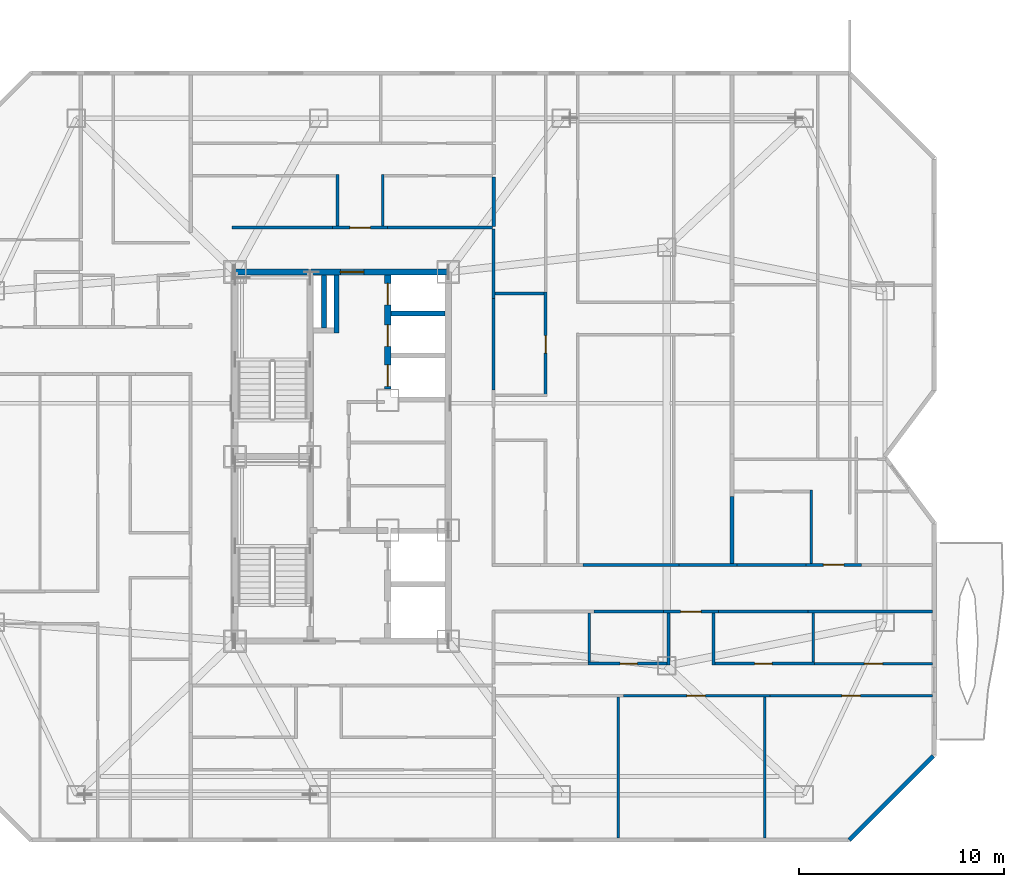
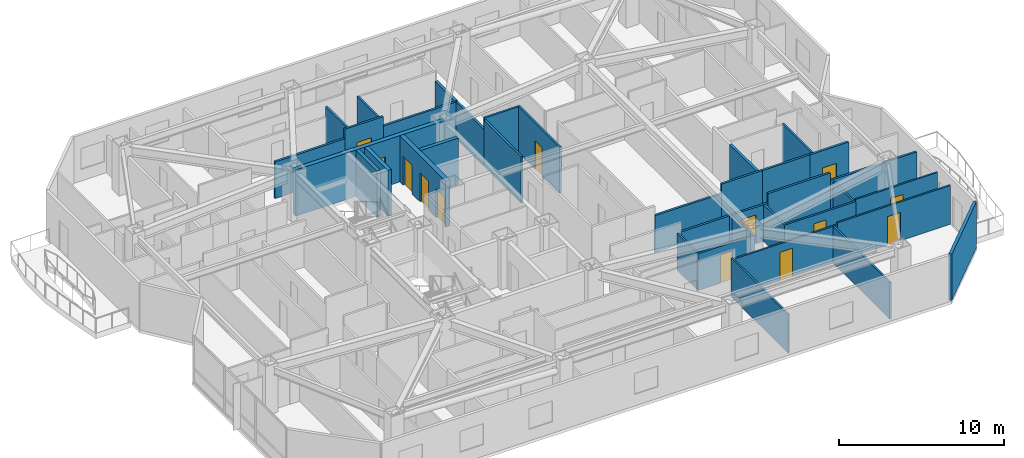
# One storey, part 12 of 16: 37 walls, 13 doors, 13 openings.
"""IFC4 building model written with IfcOpenShell, lengths in metres."""

from ifc_helpers import new_model, si_unit, direction, frame, frame_2d, origin, place, context, subcontext, project, spatial, rectangle, extrude, material, layer, layer_set, type_object, element, fill, save


model = new_model("IFC4")

# Units and contexts
model_context = context("Model", 3, precision=1e-05, world=origin(), true_north=direction((0.0, 1.0)))
body_context = subcontext(model_context, "Body", "Model", "MODEL_VIEW")
ifc_project = project(units=[si_unit("LENGTHUNIT", "METRE"), si_unit("AREAUNIT", "SQUARE_METRE"), si_unit("VOLUMEUNIT", "CUBIC_METRE"), si_unit("PLANEANGLEUNIT", "RADIAN"), si_unit("MASSUNIT", "GRAM", prefix="KILO")], contexts=[model_context])

# Site, building, storey
site_placement = place(None, origin())
site = spatial("IfcSite", under=ifc_project, at=site_placement, CompositionType="ELEMENT")
building_placement = place(site_placement, origin())
building = spatial("IfcBuilding", under=site, at=building_placement, Name="Khamvora Tower", CompositionType="ELEMENT")
storey_placement = place(building_placement, frame((0.0, 0.0, 170.5)))
storey = spatial("IfcBuildingStorey", under=building, at=storey_placement, Name="L43", CompositionType="ELEMENT", Elevation=170.5)

# Wall, opening, door
ifc_material_1 = material(Name="Concrete C50/60", Category="concrete")
ifc_layer_1 = layer(ifc_material_1, 0.300048828125)
ifc_layer_set_1 = layer_set([ifc_layer_1], Name="Concrete C50/60")
wall_type_1 = type_object("IfcWallType", Name="WAL-CORE-300", PredefinedType="SHEAR", material=ifc_layer_set_1)
wall_1_placement = place(storey_placement, frame((29.0, 37.0, 0.0), z_axis=(0.0, 0.0, 1.0), x_axis=(1.0, 0.0, 0.0)))
wall_1 = element("IfcWall", 1, at=wall_1_placement, inside=storey, type_object=wall_type_1, Name="L43 central core north wall", PredefinedType="SHEAR", context=body_context, shape_type="SweptSolid", body=[
    extrude(rectangle(XDim=10.39990234375, YDim=0.300048828125, at=frame_2d((5.199951171875, 0.0))), origin(), (0.0, 0.0, 1.0), 3.429931640625),
])
opening_1_placement = place(wall_1_placement, frame((5.139892578125, 0.0, 0.0)))
opening_1 = element("IfcOpeningElement", 2, at=opening_1_placement, cuts=wall_1, Name="Opening D-SC1", PredefinedType="OPENING", context=body_context, shape_type="SweptSolid", body=[
    extrude(rectangle(XDim=1.14990234375, YDim=2.199951171875, at=frame_2d((0.574951171875, 1.10009765625))), frame((0.0, 0.159912109375, 0.0), z_axis=(0.0, -1.0, 0.0), x_axis=(1.0, 0.0, 0.0)), (0.0, 0.0, 1.0), 0.320068359375),
])
ifc_material_2 = material(Name="Powder-Coated Steel and Hardwood Leaf", Category="steel")
door_type_1 = type_object("IfcDoorType", Name="DOR-SCHL-1150", OperationType="NOTDEFINED", PredefinedType="DOOR", material=ifc_material_2)
door_1_placement = place(opening_1_placement, origin())
door_1 = element("IfcDoor", 3, at=door_1_placement, inside=storey, type_object=door_type_1, Name="L43 north core lobby to corridor fire door", OperationType="SINGLE_SWING_RIGHT", OverallHeight=2.199951171875, OverallWidth=1.14990234375, PredefinedType="DOOR", context=body_context, shape_type="SweptSolid", body=[
    extrude(rectangle(XDim=1.14990234375, YDim=2.199951171875, at=frame_2d((0.574951171875, 1.10009765625))), frame((0.0, 0.02490234375, 0.0), z_axis=(0.0, -1.0, 0.0), x_axis=(1.0, 0.0, 0.0)), (0.0, 0.0, 1.0), 0.050048828125),
])
fill(opening_1, door_1)

# Wall, openings, doors
wall_2_placement = place(storey_placement, frame((36.449951171875, 31.300048828125, 0.0), z_axis=(0.0, 0.0, 1.0), x_axis=(0.0, 1.0, 0.0)))
wall_2 = element("IfcWall", 4, at=wall_2_placement, inside=storey, type_object=wall_type_1, Name="L43 central core lift bank central wall", PredefinedType="SHEAR", context=body_context, shape_type="SweptSolid", body=[
    extrude(rectangle(XDim=5.5458984375, YDim=0.300048828125, at=frame_2d((2.77294921875, 0.0))), origin(), (0.0, 0.0, 1.0), 3.429931640625),
])
opening_2_placement = place(wall_2_placement, frame((0.1201171875, 0.0, 0.0)))
opening_2 = element("IfcOpeningElement", 5, at=opening_2_placement, cuts=wall_2, Name="Opening LD-PL", PredefinedType="OPENING", context=body_context, shape_type="SweptSolid", body=[
    extrude(rectangle(XDim=1.050048828125, YDim=2.14990234375, at=frame_2d((0.52490234375, 1.074951171875))), frame((0.0, 0.159912109375, 0.0), z_axis=(0.0, -1.0, 0.0), x_axis=(1.0, 0.0, 0.0)), (0.0, 0.0, 1.0), 0.320068359375),
])
opening_3_placement = place(wall_2_placement, frame((2.074951171875, 0.0, 0.0)))
opening_3 = element("IfcOpeningElement", 6, at=opening_3_placement, cuts=wall_2, Name="Opening LD-PL", PredefinedType="OPENING", context=body_context, shape_type="SweptSolid", body=[
    extrude(rectangle(XDim=1.050048828125, YDim=2.14990234375, at=frame_2d((0.52490234375, 1.074951171875))), frame((0.0, 0.159912109375, 0.0), z_axis=(0.0, -1.0, 0.0), x_axis=(1.0, 0.0, 0.0)), (0.0, 0.0, 1.0), 0.320068359375),
])
opening_4_placement = place(wall_2_placement, frame((4.094970703125, 0.0, 0.0)))
opening_4 = element("IfcOpeningElement", 7, at=opening_4_placement, cuts=wall_2, Name="Opening LD-PL", PredefinedType="OPENING", context=body_context, shape_type="SweptSolid", body=[
    extrude(rectangle(XDim=1.050048828125, YDim=2.14990234375, at=frame_2d((0.52490234375, 1.074951171875))), frame((0.0, 0.159912109375, 0.0), z_axis=(0.0, -1.0, 0.0), x_axis=(1.0, 0.0, 0.0)), (0.0, 0.0, 1.0), 0.320068359375),
])
door_type_2 = type_object("IfcDoorType", Name="DOR-LIFT-1050", OperationType="SLIDING_TO_LEFT", PredefinedType="DOOR", material=ifc_material_2)
door_2_placement = place(opening_2_placement, origin())
door_2 = element("IfcDoor", 8, at=door_2_placement, inside=storey, type_object=door_type_2, Name="L43 lift landing sliding door PH-01", OperationType="SLIDING_TO_LEFT", OverallHeight=2.14990234375, OverallWidth=1.050048828125, PredefinedType="DOOR", context=body_context, shape_type="SweptSolid", body=[
    extrude(rectangle(XDim=1.050048828125, YDim=2.14990234375, at=frame_2d((0.52490234375, 1.074951171875))), frame((0.0, 0.02490234375, 0.0), z_axis=(0.0, -1.0, 0.0), x_axis=(1.0, 0.0, 0.0)), (0.0, 0.0, 1.0), 0.050048828125),
])
fill(opening_2, door_2)
door_3_placement = place(opening_3_placement, origin())
door_3 = element("IfcDoor", 9, at=door_3_placement, inside=storey, type_object=door_type_2, Name="L43 lift landing sliding door PH-02", OperationType="SLIDING_TO_LEFT", OverallHeight=2.14990234375, OverallWidth=1.050048828125, PredefinedType="DOOR", context=body_context, shape_type="SweptSolid", body=[
    extrude(rectangle(XDim=1.050048828125, YDim=2.14990234375, at=frame_2d((0.52490234375, 1.074951171875))), frame((0.0, 0.02490234375, 0.0), z_axis=(0.0, -1.0, 0.0), x_axis=(1.0, 0.0, 0.0)), (0.0, 0.0, 1.0), 0.050048828125),
])
fill(opening_3, door_3)
door_4_placement = place(opening_4_placement, origin())
door_4 = element("IfcDoor", 10, at=door_4_placement, inside=storey, type_object=door_type_2, Name="L43 lift landing sliding door PH-03", OperationType="SLIDING_TO_LEFT", OverallHeight=2.14990234375, OverallWidth=1.050048828125, PredefinedType="DOOR", context=body_context, shape_type="SweptSolid", body=[
    extrude(rectangle(XDim=1.050048828125, YDim=2.14990234375, at=frame_2d((0.52490234375, 1.074951171875))), frame((0.0, 0.02490234375, 0.0), z_axis=(0.0, -1.0, 0.0), x_axis=(1.0, 0.0, 0.0)), (0.0, 0.0, 1.0), 0.050048828125),
])
fill(opening_4, door_4)

# Wall, opening, door
ifc_material_3 = material(Name="Fire-Rated Drywall and Steel Stud", Category="steel")
ifc_layer_2 = layer(ifc_material_3, 0.14990234375)
ifc_layer_set_2 = layer_set([ifc_layer_2], Name="Fire-Rated Drywall and Steel Stud")
wall_type_2 = type_object("IfcWallType", Name="WAL-CORR-150", PredefinedType="STANDARD", material=ifc_layer_set_2)
wall_3_placement = place(storey_placement, frame((33.75, 39.1650390625, 0.0), z_axis=(0.0, 0.0, 1.0), x_axis=(1.0, 0.0, 0.0)))
wall_3 = element("IfcWall", 11, at=wall_3_placement, inside=storey, type_object=wall_type_2, Name="L43 interior partition wall 024", PredefinedType="STANDARD", context=body_context, shape_type="SweptSolid", body=[
    extrude(rectangle(XDim=2.697998046875, YDim=0.14990234375, at=frame_2d((1.34912109375, 0.0))), origin(), (0.0, 0.0, 1.0), 3.429931640625),
])
opening_5_placement = place(wall_3_placement, frame((0.84912109375, 0.0, 0.0)))
opening_5 = element("IfcOpeningElement", 12, at=opening_5_placement, cuts=wall_3, Name="Opening D-U1", PredefinedType="OPENING", context=body_context, shape_type="SweptSolid", body=[
    extrude(rectangle(XDim=1.0, YDim=2.14990234375, at=frame_2d((0.5, 1.074951171875))), frame((0.0, 0.0849609375, 0.0), z_axis=(0.0, -1.0, 0.0), x_axis=(1.0, 0.0, 0.0)), (0.0, 0.0, 1.0), 0.169921875),
])
door_type_3 = type_object("IfcDoorType", Name="DOR-UNIT-1000", OperationType="NOTDEFINED", PredefinedType="DOOR", material=ifc_material_2)
door_5_placement = place(opening_5_placement, origin())
door_5 = element("IfcDoor", 13, at=door_5_placement, inside=storey, type_object=door_type_3, Name="L43 interior door COR-43NAH", OperationType="SINGLE_SWING_RIGHT", OverallHeight=2.14990234375, OverallWidth=1.0, PredefinedType="DOOR", context=body_context, shape_type="SweptSolid", body=[
    extrude(rectangle(XDim=1.0, YDim=2.14990234375, at=frame_2d((0.5, 1.074951171875))), frame((0.0, 0.02490234375, 0.0), z_axis=(0.0, -1.0, 0.0), x_axis=(1.0, 0.0, 0.0)), (0.0, 0.0, 1.0), 0.050048828125),
])
fill(opening_5, door_5)

# Walls
wall_4_placement = place(storey_placement, frame((36.447998046875, 39.1650390625, 0.0), z_axis=(0.0, 0.0, 1.0), x_axis=(1.0, 0.0, 0.0)))
element("IfcWall", 14, at=wall_4_placement, inside=storey, type_object=wall_type_2, Name="L43 interior partition wall 025", PredefinedType="STANDARD", context=body_context, shape_type="SweptSolid", body=[
    extrude(rectangle(XDim=5.10205078125, YDim=0.14990234375, at=frame_2d((2.551025390625, 0.0))), origin(), (0.0, 0.0, 1.0), 2.72509765625),
])
wall_5_placement = place(storey_placement, frame((28.85009765625, 39.1650390625, 0.0), z_axis=(0.0, 0.0, 1.0), x_axis=(1.0, 0.0, 0.0)))
element("IfcWall", 15, at=wall_5_placement, inside=storey, type_object=wall_type_2, Name="L43 interior partition wall 026", PredefinedType="STANDARD", context=body_context, shape_type="SweptSolid", body=[
    extrude(rectangle(XDim=4.89990234375, YDim=0.14990234375, at=frame_2d((2.449951171875, 0.0))), origin(), (0.0, 0.0, 1.0), 2.72509765625),
])
wall_6_placement = place(storey_placement, frame((63.008056640625, 20.43505859375, 0.0), z_axis=(0.0, 0.0, 1.0), x_axis=(-1.0, 0.0, 0.0)))
element("IfcWall", 16, at=wall_6_placement, inside=storey, type_object=wall_type_2, Name="L43 interior partition wall 029", PredefinedType="STANDARD", context=body_context, shape_type="SweptSolid", body=[
    extrude(rectangle(XDim=6.05712890625, YDim=0.14990234375, at=frame_2d((3.028564453125, 0.0))), origin(), (0.0, 0.0, 1.0), 2.8759765625),
])

# Wall, opening, door
wall_7_placement = place(storey_placement, frame((52.583984375, 20.43505859375, 0.0), z_axis=(0.0, 0.0, 1.0), x_axis=(-1.0, 0.0, 0.0)))
wall_7 = element("IfcWall", 17, at=wall_7_placement, inside=storey, type_object=wall_type_2, Name="L43 interior partition wall 030", PredefinedType="STANDARD", context=body_context, shape_type="SweptSolid", body=[
    extrude(rectangle(XDim=2.697998046875, YDim=0.14990234375, at=frame_2d((1.34912109375, 0.0))), origin(), (0.0, 0.0, 1.0), 2.72509765625),
])
opening_6_placement = place(wall_7_placement, frame((0.84912109375, 0.0, 0.0)))
opening_6 = element("IfcOpeningElement", 18, at=opening_6_placement, cuts=wall_7, Name="Opening D-U1", PredefinedType="OPENING", context=body_context, shape_type="SweptSolid", body=[
    extrude(rectangle(XDim=1.0, YDim=2.14990234375, at=frame_2d((0.5, 1.074951171875))), frame((0.0, 0.0849609375, 0.0), z_axis=(0.0, -1.0, 0.0), x_axis=(1.0, 0.0, 0.0)), (0.0, 0.0, 1.0), 0.169921875),
])
door_6_placement = place(opening_6_placement, origin())
door_6 = element("IfcDoor", 19, at=door_6_placement, inside=storey, type_object=door_type_3, Name="L43 interior door COR-43EAH", OperationType="SINGLE_SWING_LEFT", OverallHeight=2.14990234375, OverallWidth=1.0, PredefinedType="DOOR", context=body_context, shape_type="SweptSolid", body=[
    extrude(rectangle(XDim=1.0, YDim=2.14990234375, at=frame_2d((0.5, 1.074951171875))), frame((0.0, 0.02490234375, 0.0), z_axis=(0.0, -1.0, 0.0), x_axis=(1.0, 0.0, 0.0)), (0.0, 0.0, 1.0), 0.050048828125),
])
fill(opening_6, door_6)

# Walls
wall_8_placement = place(storey_placement, frame((49.885986328125, 20.43505859375, 0.0), z_axis=(0.0, 0.0, 1.0), x_axis=(-1.0, 0.0, 0.0)))
element("IfcWall", 20, at=wall_8_placement, inside=storey, type_object=wall_type_2, Name="L43 interior partition wall 032", PredefinedType="STANDARD", context=body_context, shape_type="SweptSolid", body=[
    extrude(rectangle(XDim=3.366943359375, YDim=0.14990234375, at=frame_2d((1.68359375, 0.0))), origin(), (0.0, 0.0, 1.0), 2.72509765625),
])
wall_9_placement = place(storey_placement, frame((56.950927734375, 20.43505859375, 0.0), z_axis=(0.0, 0.0, 1.0), x_axis=(-1.0, 0.0, 0.0)))
element("IfcWall", 21, at=wall_9_placement, inside=storey, type_object=wall_type_2, Name="L43 interior partition wall 033", PredefinedType="STANDARD", context=body_context, shape_type="SweptSolid", body=[
    extrude(rectangle(XDim=4.366943359375, YDim=0.14990234375, at=frame_2d((2.18359375, 0.0))), origin(), (0.0, 0.0, 1.0), 3.429931640625),
])
wall_10_placement = place(storey_placement, frame((41.614990234375, 39.10009765625, 0.0), z_axis=(0.0, 0.0, 1.0), x_axis=(0.0, -1.0, 0.0)))
element("IfcWall", 22, at=wall_10_placement, inside=storey, type_object=wall_type_2, Name="L43 interior partition wall 034", PredefinedType="STANDARD", context=body_context, shape_type="SweptSolid", body=[
    extrude(rectangle(XDim=3.39306640625, YDim=0.14990234375, at=frame_2d((1.696533203125, 0.0))), origin(), (0.0, 0.0, 1.0), 2.72509765625),
])
wall_11_placement = place(storey_placement, frame((41.614990234375, 35.70703125, 0.0), z_axis=(0.0, 0.0, 1.0), x_axis=(0.0, -1.0, 0.0)))
element("IfcWall", 23, at=wall_11_placement, inside=storey, type_object=wall_type_2, Name="L43 interior partition wall 037", PredefinedType="STANDARD", context=body_context, shape_type="SweptSolid", body=[
    extrude(rectangle(XDim=4.467041015625, YDim=0.14990234375, at=frame_2d((2.2333984375, 0.0))), origin(), (0.0, 0.0, 1.0), 3.429931640625),
])
wall_12_placement = place(storey_placement, frame((45.97412109375, 22.715087890625, 0.0), z_axis=(0.0, 0.0, 1.0), x_axis=(1.0, 0.0, 0.0)))
element("IfcWall", 24, at=wall_12_placement, inside=storey, type_object=wall_type_2, Name="L43 interior partition wall 040", PredefinedType="STANDARD", context=body_context, shape_type="SweptSolid", body=[
    extrude(rectangle(XDim=4.6748046875, YDim=0.14990234375, at=frame_2d((2.33740234375, 0.0))), origin(), (0.0, 0.0, 1.0), 2.72509765625),
])
wall_13_placement = place(storey_placement, frame((50.64892578125, 22.715087890625, 0.0), z_axis=(0.0, 0.0, 1.0), x_axis=(1.0, 0.0, 0.0)))
element("IfcWall", 25, at=wall_13_placement, inside=storey, type_object=wall_type_2, Name="L43 interior partition wall 041", PredefinedType="STANDARD", context=body_context, shape_type="SweptSolid", body=[
    extrude(rectangle(XDim=2.842041015625, YDim=0.14990234375, at=frame_2d((1.4208984375, 0.0))), origin(), (0.0, 0.0, 1.0), 3.429931640625),
])

# Wall, opening, door
wall_14_placement = place(storey_placement, frame((56.84912109375, 22.715087890625, 0.0), z_axis=(0.0, 0.0, 1.0), x_axis=(1.0, 0.0, 0.0)))
wall_14 = element("IfcWall", 26, at=wall_14_placement, inside=storey, type_object=wall_type_2, Name="L43 interior partition wall 042", PredefinedType="STANDARD", context=body_context, shape_type="SweptSolid", body=[
    extrude(rectangle(XDim=2.697998046875, YDim=0.14990234375, at=frame_2d((1.34912109375, 0.0))), origin(), (0.0, 0.0, 1.0), 3.429931640625),
])
opening_7_placement = place(wall_14_placement, frame((0.84912109375, 0.0, 0.0)))
opening_7 = element("IfcOpeningElement", 27, at=opening_7_placement, cuts=wall_14, Name="Opening D-U1", PredefinedType="OPENING", context=body_context, shape_type="SweptSolid", body=[
    extrude(rectangle(XDim=1.0, YDim=2.14990234375, at=frame_2d((0.5, 1.074951171875))), frame((0.0, 0.0849609375, 0.0), z_axis=(0.0, -1.0, 0.0), x_axis=(1.0, 0.0, 0.0)), (0.0, 0.0, 1.0), 0.169921875),
])
door_7_placement = place(opening_7_placement, origin())
door_7 = element("IfcDoor", 28, at=door_7_placement, inside=storey, type_object=door_type_3, Name="L43 interior door COR-43EB2H", OperationType="SINGLE_SWING_LEFT", OverallHeight=2.14990234375, OverallWidth=1.0, PredefinedType="DOOR", context=body_context, shape_type="SweptSolid", body=[
    extrude(rectangle(XDim=1.0, YDim=2.14990234375, at=frame_2d((0.5, 1.074951171875))), frame((0.0, 0.02490234375, 0.0), z_axis=(0.0, -1.0, 0.0), x_axis=(1.0, 0.0, 0.0)), (0.0, 0.0, 1.0), 0.050048828125),
])
fill(opening_7, door_7)

# Walls
wall_15_placement = place(storey_placement, frame((53.490966796875, 22.715087890625, 0.0), z_axis=(0.0, 0.0, 1.0), x_axis=(1.0, 0.0, 0.0)))
element("IfcWall", 29, at=wall_15_placement, inside=storey, type_object=wall_type_2, Name="L43 interior partition wall 044", PredefinedType="STANDARD", context=body_context, shape_type="SweptSolid", body=[
    extrude(rectangle(XDim=3.358154296875, YDim=0.14990234375, at=frame_2d((1.67919921875, 0.0))), origin(), (0.0, 0.0, 1.0), 3.429931640625),
])
ifc_material_4 = material(Name="Acoustic Double-Stud Fire Wall", Category="gypsum")
ifc_layer_3 = layer(ifc_material_4, 0.179931640625)
ifc_layer_set_3 = layer_set([ifc_layer_3], Name="Acoustic Double-Stud Fire Wall")
wall_type_3 = type_object("IfcWallType", Name="WAL-CORR-180", PredefinedType="STANDARD", material=ifc_layer_set_3)
wall_16_placement = place(storey_placement, frame((41.614990234375, 41.6298828125, 0.0), z_axis=(0.0, 0.0, 1.0), x_axis=(0.0, -1.0, 0.0)))
element("IfcWall", 30, at=wall_16_placement, inside=storey, type_object=wall_type_3, Name="L43 interior partition wall 099", PredefinedType="STANDARD", context=body_context, shape_type="SweptSolid", body=[
    extrude(rectangle(XDim=2.39990234375, YDim=0.179931640625, at=frame_2d((1.199951171875, 0.0))), origin(), (0.0, 0.0, 1.0), 2.72509765625),
])
wall_17_placement = place(storey_placement, frame((53.240966796875, 26.0458984375, 0.0), z_axis=(0.0, 0.0, 1.0), x_axis=(0.0, -1.0, 0.0)))
element("IfcWall", 31, at=wall_17_placement, inside=storey, type_object=wall_type_3, Name="L43 interior partition wall 130", PredefinedType="STANDARD", context=body_context, shape_type="SweptSolid", body=[
    extrude(rectangle(XDim=3.265869140625, YDim=0.179931640625, at=frame_2d((1.6328125, 0.0))), origin(), (0.0, 0.0, 1.0), 3.429931640625),
])
ifc_material_5 = material(Name="Precast concrete C40/50", Category="concrete")
ifc_layer_4 = layer(ifc_material_5, 0.199951171875)
ifc_layer_set_4 = layer_set([ifc_layer_4], Name="Precast concrete C40/50")
wall_type_4 = type_object("IfcWallType", Name="WAL-EXT-200", PredefinedType="STANDARD", material=ifc_layer_set_4)
wall_18_placement = place(storey_placement, frame((63.056884765625, 13.39794921875, 0.0), z_axis=(0.0, 0.0, 1.0), x_axis=(-0.707106781187, -0.707106781187, 0.0)))
element("IfcWall", 32, at=wall_18_placement, inside=storey, type_object=wall_type_4, Name="L43 exterior facade wall 13.1", PredefinedType="STANDARD", context=body_context, shape_type="SweptSolid", body=[
    extrude(rectangle(XDim=5.79541015625, YDim=0.199951171875, at=frame_2d((2.897705078125, 0.0))), origin(), (0.0, 0.0, 1.0), 3.429931640625),
])

# Wall, opening, door
ifc_material_6 = material(Name="Gypsum Plasterboard Partition", Category="gypsum")
ifc_layer_5 = layer(ifc_material_6, 0.1201171875)
ifc_layer_set_5 = layer_set([ifc_layer_5], Name="Gypsum Plasterboard Partition")
wall_type_5 = type_object("IfcWallType", Name="WAL-PART-120", PredefinedType="PARTITIONING", material=ifc_layer_set_5)
wall_19_placement = place(storey_placement, frame((63.008056640625, 17.905029296875, 0.0), z_axis=(0.0, 0.0, 1.0), x_axis=(-1.0, 0.0, 0.0)))
wall_19 = element("IfcWall", 33, at=wall_19_placement, inside=storey, type_object=wall_type_5, Name="L43 interior partition wall 104", PredefinedType="PARTITIONING", context=body_context, shape_type="SweptSolid", body=[
    extrude(rectangle(XDim=5.7431640625, YDim=0.1201171875, at=frame_2d((2.87158203125, 0.0))), origin(), (0.0, 0.0, 1.0), 2.8759765625),
])
opening_8_placement = place(wall_19_placement, frame((2.4208984375, 0.0, 0.0)))
opening_8 = element("IfcOpeningElement", 34, at=opening_8_placement, cuts=wall_19, Name="Opening D-RM1", PredefinedType="OPENING", context=body_context, shape_type="SweptSolid", body=[
    extrude(rectangle(XDim=0.89990234375, YDim=2.10009765625, at=frame_2d((0.449951171875, 1.050048828125))), frame((0.0, 0.070068359375, 0.0), z_axis=(0.0, -1.0, 0.0), x_axis=(1.0, 0.0, 0.0)), (0.0, 0.0, 1.0), 0.14013671875),
])
door_type_4 = type_object("IfcDoorType", Name="DOR-ROOM-900", OperationType="NOTDEFINED", PredefinedType="DOOR", material=ifc_material_2)
door_8_placement = place(opening_8_placement, origin())
door_8 = element("IfcDoor", 35, at=door_8_placement, inside=storey, type_object=door_type_4, Name="L43 interior door 43EAW2-43EAH", OperationType="SINGLE_SWING_LEFT", OverallHeight=2.10009765625, OverallWidth=0.89990234375, PredefinedType="DOOR", context=body_context, shape_type="SweptSolid", body=[
    extrude(rectangle(XDim=0.89990234375, YDim=2.10009765625, at=frame_2d((0.449951171875, 1.050048828125))), frame((0.0, 0.02490234375, 0.0), z_axis=(0.0, -1.0, 0.0), x_axis=(1.0, 0.0, 0.0)), (0.0, 0.0, 1.0), 0.050048828125),
])
fill(opening_8, door_8)

wall_20_placement = place(storey_placement, frame((55.077880859375, 16.324951171875, 0.0), z_axis=(0.0, 0.0, 1.0), x_axis=(-1.0, 0.0, 0.0)))
wall_20 = element("IfcWall", 36, at=wall_20_placement, inside=storey, type_object=wall_type_5, Name="L43 interior partition wall 111", PredefinedType="PARTITIONING", context=body_context, shape_type="SweptSolid", body=[
    extrude(rectangle(XDim=7.135986328125, YDim=0.1201171875, at=frame_2d((3.56787109375, 0.0))), origin(), (0.0, 0.0, 1.0), 2.72509765625),
])
opening_9_placement = place(wall_20_placement, frame((3.138916015625, 0.0, 0.0)))
opening_9 = element("IfcOpeningElement", 37, at=opening_9_placement, cuts=wall_20, Name="Opening D-RM1", PredefinedType="OPENING", context=body_context, shape_type="SweptSolid", body=[
    extrude(rectangle(XDim=0.89990234375, YDim=2.10009765625, at=frame_2d((0.449951171875, 1.050048828125))), frame((0.0, 0.070068359375, 0.0), z_axis=(0.0, -1.0, 0.0), x_axis=(1.0, 0.0, 0.0)), (0.0, 0.0, 1.0), 0.14013671875),
])
door_9_placement = place(opening_9_placement, origin())
door_9 = element("IfcDoor", 38, at=door_9_placement, inside=storey, type_object=door_type_4, Name="L43 interior door 43EAH-43EAR2", OperationType="SINGLE_SWING_LEFT", OverallHeight=2.10009765625, OverallWidth=0.89990234375, PredefinedType="DOOR", context=body_context, shape_type="SweptSolid", body=[
    extrude(rectangle(XDim=0.89990234375, YDim=2.10009765625, at=frame_2d((0.449951171875, 1.050048828125))), frame((0.0, 0.02490234375, 0.0), z_axis=(0.0, -1.0, 0.0), x_axis=(1.0, 0.0, 0.0)), (0.0, 0.0, 1.0), 0.050048828125),
])
fill(opening_9, door_9)

wall_21_placement = place(storey_placement, frame((63.008056640625, 16.324951171875, 0.0), z_axis=(0.0, 0.0, 1.0), x_axis=(-1.0, 0.0, 0.0)))
wall_21 = element("IfcWall", 39, at=wall_21_placement, inside=storey, type_object=wall_type_5, Name="L43 interior partition wall 112", PredefinedType="PARTITIONING", context=body_context, shape_type="SweptSolid", body=[
    extrude(rectangle(XDim=7.93017578125, YDim=0.1201171875, at=frame_2d((3.965087890625, 0.0))), origin(), (0.0, 0.0, 1.0), 2.8759765625),
])
opening_10_placement = place(wall_21_placement, frame((3.514892578125, 0.0, 0.0)))
opening_10 = element("IfcOpeningElement", 40, at=opening_10_placement, cuts=wall_21, Name="Opening D-RM1", PredefinedType="OPENING", context=body_context, shape_type="SweptSolid", body=[
    extrude(rectangle(XDim=0.89990234375, YDim=2.10009765625, at=frame_2d((0.449951171875, 1.050048828125))), frame((0.0, 0.070068359375, 0.0), z_axis=(0.0, -1.0, 0.0), x_axis=(1.0, 0.0, 0.0)), (0.0, 0.0, 1.0), 0.14013671875),
])
door_10_placement = place(opening_10_placement, origin())
door_10 = element("IfcDoor", 41, at=door_10_placement, inside=storey, type_object=door_type_4, Name="L43 interior door 43EAH-43EAR3", OperationType="SINGLE_SWING_RIGHT", OverallHeight=2.10009765625, OverallWidth=0.89990234375, PredefinedType="DOOR", context=body_context, shape_type="SweptSolid", body=[
    extrude(rectangle(XDim=0.89990234375, YDim=2.10009765625, at=frame_2d((0.449951171875, 1.050048828125))), frame((0.0, 0.02490234375, 0.0), z_axis=(0.0, -1.0, 0.0), x_axis=(1.0, 0.0, 0.0)), (0.0, 0.0, 1.0), 0.050048828125),
])
fill(opening_10, door_10)

# Walls
wall_22_placement = place(storey_placement, frame((47.69189453125, 16.27099609375, 0.0), z_axis=(0.0, 0.0, 1.0), x_axis=(0.0, -1.0, 0.0)))
element("IfcWall", 42, at=wall_22_placement, inside=storey, type_object=wall_type_5, Name="L43 interior partition wall 113", PredefinedType="PARTITIONING", context=body_context, shape_type="SweptSolid", body=[
    extrude(rectangle(XDim=6.87890625, YDim=0.1201171875, at=frame_2d((3.439453125, 0.0))), origin(), (0.0, 0.0, 1.0), 2.8759765625),
])
wall_23_placement = place(storey_placement, frame((54.8291015625, 16.27099609375, 0.0), z_axis=(0.0, 0.0, 1.0), x_axis=(0.0, -1.0, 0.0)))
element("IfcWall", 43, at=wall_23_placement, inside=storey, type_object=wall_type_5, Name="L43 interior partition wall 114", PredefinedType="PARTITIONING", context=body_context, shape_type="SweptSolid", body=[
    extrude(rectangle(XDim=6.87890625, YDim=0.1201171875, at=frame_2d((3.439453125, 0.0))), origin(), (0.0, 0.0, 1.0), 2.72509765625),
])
ifc_material_7 = material(Name="Concrete C40/50", Category="concrete")
ifc_layer_6 = layer(ifc_material_7, 0.25)
ifc_layer_set_6 = layer_set([ifc_layer_6], Name="Concrete C40/50")
wall_type_6 = type_object("IfcWallType", Name="WAL-PODS-250", PredefinedType="SHEAR", material=ifc_layer_set_6)
wall_24_placement = place(storey_placement, frame((36.60400390625, 34.97509765625, 0.0), z_axis=(0.0, 0.0, 1.0), x_axis=(1.0, 0.0, 0.0)))
element("IfcWall", 44, at=wall_24_placement, inside=storey, type_object=wall_type_6, Name="L43 lift shaft divider wall PH-02", PredefinedType="SHEAR", context=body_context, shape_type="SweptSolid", body=[
    extrude(rectangle(XDim=2.64208984375, YDim=0.25, at=frame_2d((1.321044921875, 0.0))), origin(), (0.0, 0.0, 1.0), 3.429931640625),
])
wall_25_placement = place(storey_placement, frame((33.955078125, 34.02490234375, 0.0), z_axis=(0.0, 0.0, 1.0), x_axis=(0.0, 1.0, 0.0)))
element("IfcWall", 45, at=wall_25_placement, inside=storey, type_object=wall_type_6, Name="L43 vertical MEP riser shaft east enclosure wall", PredefinedType="SHEAR", context=body_context, shape_type="SweptSolid", body=[
    extrude(rectangle(XDim=2.821044921875, YDim=0.25, at=frame_2d((1.41064453125, 0.0))), origin(), (0.0, 0.0, 1.0), 3.429931640625),
])
wall_26_placement = place(storey_placement, frame((33.340087890625, 34.279052734375, 0.0), z_axis=(0.0, 0.0, 1.0), x_axis=(0.0, 1.0, 0.0)))
element("IfcWall", 46, at=wall_26_placement, inside=storey, type_object=wall_type_6, Name="L43 vertical MEP riser shaft divider enclosure wall", PredefinedType="SHEAR", context=body_context, shape_type="SweptSolid", body=[
    extrude(rectangle(XDim=2.56689453125, YDim=0.25, at=frame_2d((1.283447265625, 0.0))), origin(), (0.0, 0.0, 1.0), 3.429931640625),
])
ifc_material_8 = material(Name="Moisture-Resistant Plasterboard Partition", Category="gypsum")
ifc_layer_7 = layer(ifc_material_8, 0.135009765625)
ifc_layer_set_7 = layer_set([ifc_layer_7], Name="Moisture-Resistant Plasterboard Partition")
wall_type_7 = type_object("IfcWallType", Name="WAL-WET-135", PredefinedType="PARTITIONING", material=ifc_layer_set_7)
for number, where, z_axis, x_axis, name in (
    (47, (36.198974609375, 41.760009765625, 0.0), (0.0, 0.0, 1.0), (0.0, -1.0, 0.0), "L43 interior partition wall 093"),
    (48, (33.9990234375, 39.23193359375, 0.0), (0.0, 0.0, 1.0), (0.0, 1.0, 0.0), "L43 interior partition wall 094"),
):
    element("IfcWall", number, at=place(storey_placement, frame(where, z_axis=z_axis, x_axis=x_axis)), inside=storey, type_object=wall_type_7, Name=name, PredefinedType="PARTITIONING", context=body_context, shape_type="SweptSolid", body=[
        extrude(rectangle(XDim=2.528076171875, YDim=0.135009765625, at=frame_2d((1.26416015625, 0.0))), origin(), (0.0, 0.0, 1.0), 3.429931640625),
    ])
for number, where, z_axis, x_axis, name in (
    (49, (46.27001953125, 20.367919921875, 0.0), (0.0, 0.0, 1.0), (0.0, -1.0, 0.0), "L43 interior partition wall 103"),
    (50, (57.199951171875, 17.969970703125, 0.0), (0.0, 0.0, 1.0), (0.0, 1.0, 0.0), "L43 interior partition wall 105"),
):
    element("IfcWall", number, at=place(storey_placement, frame(where, z_axis=z_axis, x_axis=x_axis)), inside=storey, type_object=wall_type_7, Name=name, PredefinedType="PARTITIONING", context=body_context, shape_type="SweptSolid", body=[
        extrude(rectangle(XDim=2.39794921875, YDim=0.135009765625, at=frame_2d((1.198974609375, 0.0))), origin(), (0.0, 0.0, 1.0), 2.72509765625),
    ])

# Wall, opening, door
wall_27_placement = place(storey_placement, frame((46.205078125, 17.905029296875, 0.0), z_axis=(0.0, 0.0, 1.0), x_axis=(1.0, 0.0, 0.0)))
wall_27 = element("IfcWall", 51, at=wall_27_placement, inside=storey, type_object=wall_type_7, Name="L43 interior partition wall 106", PredefinedType="PARTITIONING", context=body_context, shape_type="SweptSolid", body=[
    extrude(rectangle(XDim=3.994873046875, YDim=0.135009765625, at=frame_2d((1.99755859375, 0.0))), origin(), (0.0, 0.0, 1.0), 2.72509765625),
])
opening_11_placement = place(wall_27_placement, frame((1.572998046875, 0.0, 0.0)))
opening_11 = element("IfcOpeningElement", 52, at=opening_11_placement, cuts=wall_27, Name="Opening D-WC1", PredefinedType="OPENING", context=body_context, shape_type="SweptSolid", body=[
    extrude(rectangle(XDim=0.85009765625, YDim=2.10009765625, at=frame_2d((0.425048828125, 1.050048828125))), frame((0.0, 0.077392578125, 0.0), z_axis=(0.0, -1.0, 0.0), x_axis=(1.0, 0.0, 0.0)), (0.0, 0.0, 1.0), 0.155029296875),
])
door_type_5 = type_object("IfcDoorType", Name="DOR-WET-850", OperationType="NOTDEFINED", PredefinedType="DOOR", material=ifc_material_2)
door_11_placement = place(opening_11_placement, origin())
door_11 = element("IfcDoor", 53, at=door_11_placement, inside=storey, type_object=door_type_5, Name="L43 interior door 43EAH-43EAB", OperationType="SINGLE_SWING_RIGHT", OverallHeight=2.10009765625, OverallWidth=0.85009765625, PredefinedType="DOOR", context=body_context, shape_type="SweptSolid", body=[
    extrude(rectangle(XDim=0.85009765625, YDim=2.10009765625, at=frame_2d((0.425048828125, 1.050048828125))), frame((0.0, 0.02490234375, 0.0), z_axis=(0.0, -1.0, 0.0), x_axis=(1.0, 0.0, 0.0)), (0.0, 0.0, 1.0), 0.050048828125),
])
fill(opening_11, door_11)

# Walls
for number, where, z_axis, x_axis, name in (
    (54, (50.135009765625, 17.840087890625, 0.0), (0.0, 0.0, 1.0), (0.0, 1.0, 0.0), "L43 interior partition wall 107"),
    (55, (52.3349609375, 20.367919921875, 0.0), (0.0, 0.0, 1.0), (0.0, -1.0, 0.0), "L43 interior partition wall 108"),
):
    element("IfcWall", number, at=place(storey_placement, frame(where, z_axis=z_axis, x_axis=x_axis)), inside=storey, type_object=wall_type_7, Name=name, PredefinedType="PARTITIONING", context=body_context, shape_type="SweptSolid", body=[
        extrude(rectangle(XDim=2.52783203125, YDim=0.135009765625, at=frame_2d((1.263916015625, 0.0))), origin(), (0.0, 0.0, 1.0), 2.72509765625),
    ])

# Wall, opening, door
wall_28_placement = place(storey_placement, frame((52.27001953125, 17.905029296875, 0.0), z_axis=(0.0, 0.0, 1.0), x_axis=(1.0, 0.0, 0.0)))
wall_28 = element("IfcWall", 56, at=wall_28_placement, inside=storey, type_object=wall_type_7, Name="L43 interior partition wall 109", PredefinedType="PARTITIONING", context=body_context, shape_type="SweptSolid", body=[
    extrude(rectangle(XDim=4.994873046875, YDim=0.135009765625, at=frame_2d((2.49755859375, 0.0))), origin(), (0.0, 0.0, 1.0), 2.72509765625),
])
opening_12_placement = place(wall_28_placement, frame((2.072998046875, 0.0, 0.0)))
opening_12 = element("IfcOpeningElement", 57, at=opening_12_placement, cuts=wall_28, Name="Opening D-RM2", PredefinedType="OPENING", context=body_context, shape_type="SweptSolid", body=[
    extrude(rectangle(XDim=0.85009765625, YDim=2.10009765625, at=frame_2d((0.425048828125, 1.050048828125))), frame((0.0, 0.077392578125, 0.0), z_axis=(0.0, -1.0, 0.0), x_axis=(1.0, 0.0, 0.0)), (0.0, 0.0, 1.0), 0.155029296875),
])
door_type_6 = type_object("IfcDoorType", Name="DOR-ROOM-850", OperationType="NOTDEFINED", PredefinedType="DOOR", material=ifc_material_2)
door_12_placement = place(opening_12_placement, origin())
door_12 = element("IfcDoor", 58, at=door_12_placement, inside=storey, type_object=door_type_6, Name="L43 interior door 43EAH-43EAK", OperationType="SINGLE_SWING_LEFT", OverallHeight=2.10009765625, OverallWidth=0.85009765625, PredefinedType="DOOR", context=body_context, shape_type="SweptSolid", body=[
    extrude(rectangle(XDim=0.85009765625, YDim=2.10009765625, at=frame_2d((0.425048828125, 1.050048828125))), frame((0.0, 0.02490234375, 0.0), z_axis=(0.0, -1.0, 0.0), x_axis=(1.0, 0.0, 0.0)), (0.0, 0.0, 1.0), 0.050048828125),
])
fill(opening_12, door_12)

# Wall
wall_29_placement = place(storey_placement, frame((44.080078125, 35.9560546875, 0.0), z_axis=(0.0, 0.0, 1.0), x_axis=(-1.0, 0.0, 0.0)))
element("IfcWall", 59, at=wall_29_placement, inside=storey, type_object=wall_type_7, Name="L43 interior partition wall 116", PredefinedType="PARTITIONING", context=body_context, shape_type="SweptSolid", body=[
    extrude(rectangle(XDim=2.398193359375, YDim=0.135009765625, at=frame_2d((1.19921875, 0.0))), origin(), (0.0, 0.0, 1.0), 3.429931640625),
])

# Wall, opening, door
wall_30_placement = place(storey_placement, frame((44.14501953125, 30.926025390625, 0.0), z_axis=(0.0, 0.0, 1.0), x_axis=(0.0, 1.0, 0.0)))
wall_30 = element("IfcWall", 60, at=wall_30_placement, inside=storey, type_object=wall_type_7, Name="L43 interior partition wall 118", PredefinedType="PARTITIONING", context=body_context, shape_type="SweptSolid", body=[
    extrude(rectangle(XDim=5.094970703125, YDim=0.135009765625, at=frame_2d((2.54736328125, 0.0))), origin(), (0.0, 0.0, 1.0), 3.429931640625),
])
opening_13_placement = place(wall_30_placement, frame((2.123046875, 0.0, 0.0)))
opening_13 = element("IfcOpeningElement", 61, at=opening_13_placement, cuts=wall_30, Name="Opening D-WC1", PredefinedType="OPENING", context=body_context, shape_type="SweptSolid", body=[
    extrude(rectangle(XDim=0.85009765625, YDim=2.10009765625, at=frame_2d((0.425048828125, 1.050048828125))), frame((0.0, 0.077392578125, 0.0), z_axis=(0.0, -1.0, 0.0), x_axis=(1.0, 0.0, 0.0)), (0.0, 0.0, 1.0), 0.155029296875),
])
door_13_placement = place(opening_13_placement, origin())
door_13 = element("IfcDoor", 62, at=door_13_placement, inside=storey, type_object=door_type_5, Name="L43 interior door 43EB1H-43EB1B", OperationType="SINGLE_SWING_RIGHT", OverallHeight=2.10009765625, OverallWidth=0.85009765625, PredefinedType="DOOR", context=body_context, shape_type="SweptSolid", body=[
    extrude(rectangle(XDim=0.85009765625, YDim=2.10009765625, at=frame_2d((0.425048828125, 1.050048828125))), frame((0.0, 0.02490234375, 0.0), z_axis=(0.0, -1.0, 0.0), x_axis=(1.0, 0.0, 0.0)), (0.0, 0.0, 1.0), 0.050048828125),
])
fill(opening_13, door_13)

# Wall
wall_31_placement = place(storey_placement, frame((57.097900390625, 22.780029296875, 0.0), z_axis=(0.0, 0.0, 1.0), x_axis=(0.0, 1.0, 0.0)))
element("IfcWall", 63, at=wall_31_placement, inside=storey, type_object=wall_type_7, Name="L43 interior partition wall 137", PredefinedType="PARTITIONING", context=body_context, shape_type="SweptSolid", body=[
    extrude(rectangle(XDim=3.580078125, YDim=0.135009765625, at=frame_2d((1.7900390625, 0.0))), origin(), (0.0, 0.0, 1.0), 3.429931640625),
])

save(model, "model.ifc")
